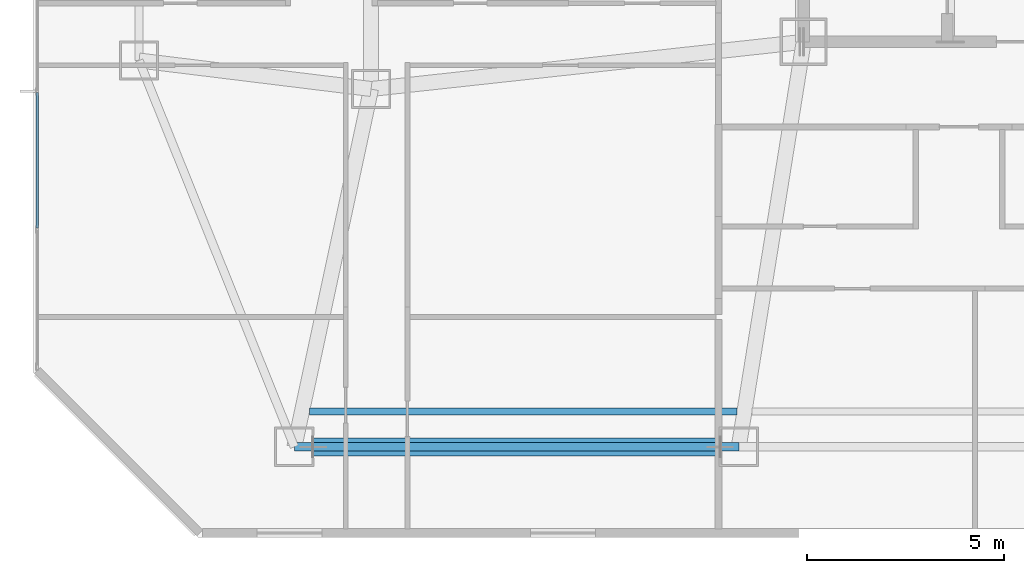
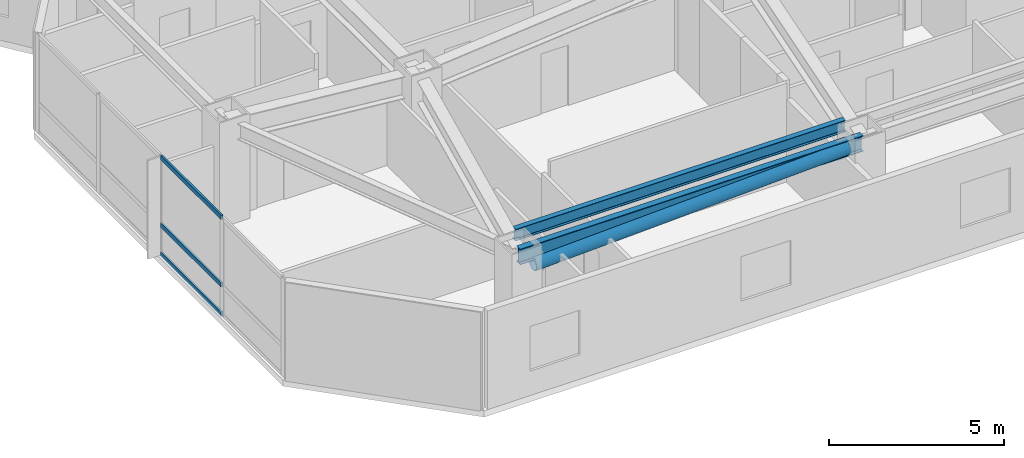
# One storey, part 3 of 19: 4 members, 2 beams, 1 element without a shape of its own.
"""IFC4 building model written with IfcOpenShell, lengths in metres."""

from ifc_helpers import new_model, si_unit, direction, frame, origin, origin_2d, place, context, subcontext, project, spatial, hollow_rectangle, hollow_circle, i_section, extrude, material, material_profile, profile_set, type_object, element, aggregate, save


model = new_model("IFC4")

# Units and contexts
model_context = context("Model", 3, precision=1e-05, world=origin(), true_north=direction((0.0, 1.0)))
body_context = subcontext(model_context, "Body", "Model", "MODEL_VIEW")
ifc_project = project(units=[si_unit("LENGTHUNIT", "METRE"), si_unit("AREAUNIT", "SQUARE_METRE"), si_unit("VOLUMEUNIT", "CUBIC_METRE"), si_unit("PLANEANGLEUNIT", "RADIAN"), si_unit("MASSUNIT", "GRAM", prefix="KILO")], contexts=[model_context])

# Site, building, storey
site_placement = place(None, origin())
site = spatial("IfcSite", under=ifc_project, at=site_placement, CompositionType="ELEMENT")
building_placement = place(site_placement, origin())
building = spatial("IfcBuilding", under=site, at=building_placement, Name="Khamvora Tower", CompositionType="ELEMENT")
storey_placement = place(building_placement, frame((0.0, 0.0, 120.14990234375)))
storey = spatial("IfcBuildingStorey", under=building, at=storey_placement, Name="L30", CompositionType="ELEMENT", Elevation=120.14990234375)

# Beams
ifc_material_1 = material(Name="Steel S355", Category="steel")
ifc_material_profile_1 = material_profile(ifc_material_1, i_section(OverallWidth=0.177978515625, OverallDepth=0.406982421875, WebThickness=0.008056640625, FlangeThickness=0.012939453125, FilletRadius=0.010009765625, at=origin_2d()), Name="W410x60")
ifc_profile_set_1 = profile_set([ifc_material_profile_1], Name="Steel S355")
beam_type_1 = type_object("IfcBeamType", Name="BM-JS-W410x60", PredefinedType="JOIST", material=ifc_profile_set_1)
beam_1_placement = place(storey_placement, frame((16.43310546875, 9.60009765625, 3.22607421875), z_axis=(1.0, 0.0, 0.0), x_axis=(0.0, 1.0, 0.0)))
element("IfcBeam", 1, at=beam_1_placement, inside=storey, type_object=beam_type_1, Name="L30 secondary floor joist 01", PredefinedType="JOIST", context=body_context, shape_type="SweptSolid", body=[
    extrude(i_section(OverallWidth=0.177978515625, OverallDepth=0.406982421875, WebThickness=0.008056640625, FlangeThickness=0.012939453125, FilletRadius=0.010009765625, at=origin_2d()), origin(), (0.0, 0.0, 1.0), 10.872802734375),
])
ifc_material_profile_2 = material_profile(ifc_material_1, i_section(OverallWidth=0.2119140625, OverallDepth=0.5439453125, WebThickness=0.012939453125, FlangeThickness=0.02099609375, FilletRadius=0.013916015625, at=origin_2d()), Name="W530x123")
ifc_profile_set_2 = profile_set([ifc_material_profile_2], Name="Steel S355")
beam_type_2 = type_object("IfcBeamType", Name="BM-SP-W530x123", PredefinedType="SPANDREL", material=ifc_profile_set_2)
beam_2_placement = place(storey_placement, frame((16.050048828125, 8.699951171875, 3.158203125), z_axis=(1.0, 0.0, 0.0), x_axis=(0.0, 1.0, 0.0)))
element("IfcBeam", 2, at=beam_2_placement, inside=storey, type_object=beam_type_2, Name="L30 perimeter spandrel beam S1-S2", PredefinedType="SPANDREL", context=body_context, shape_type="SweptSolid", body=[
    extrude(i_section(OverallWidth=0.2119140625, OverallDepth=0.5439453125, WebThickness=0.012939453125, FlangeThickness=0.02099609375, FilletRadius=0.013916015625, at=origin_2d()), origin(), (0.0, 0.0, 1.0), 11.300048828125),
])

# Curtain wall, members
ifc_material_2 = material(Name="Anodised Aluminium 6063-T6", Category="aluminium")
curtain_wall_type = type_object("IfcCurtainWallType", Name="CW-SYS-03", PredefinedType="NOTDEFINED", material=ifc_material_2)
curtain_wall_placement = place(storey_placement, origin())
curtain_wall = element("IfcCurtainWall", 3, at=curtain_wall_placement, inside=storey, type_object=curtain_wall_type, Name="L30 stick curtain wall 02.1", PredefinedType="NOTDEFINED")
ifc_material_profile_3 = material_profile(ifc_material_2, hollow_rectangle(XDim=0.06494140625, YDim=0.155029296875, WallThickness=0.0048828125, at=origin_2d()), Name="TRN65x155x5")
ifc_profile_set_3 = profile_set([ifc_material_profile_3], Name="Anodised Aluminium 6063-T6")
member_type_1 = type_object("IfcMemberType", Name="CW-SYS-03-TRN", PredefinedType="USERDEFINED", material=ifc_profile_set_3)
member_1_placement = place(storey_placement, frame((9.510009765625, 14.260986328125, 0.03271484375), z_axis=(0.0, 1.0, 0.0), x_axis=(-1.0, 0.0, 0.0)))
member_1 = element("IfcMember", 4, at=member_1_placement, type_object=member_type_1, Name="CW-03 transom 2.1", ObjectType="TRANSOM", PredefinedType="USERDEFINED", context=body_context, shape_type="SweptSolid", body=[
    extrude(hollow_rectangle(XDim=0.06494140625, YDim=0.155029296875, WallThickness=0.0048828125, at=origin_2d()), origin(), (0.0, 0.0, 1.0), 3.446533203125),
])
member_2_placement = place(storey_placement, frame((9.510009765625, 14.260986328125, 1.050048828125), z_axis=(0.0, 1.0, 0.0), x_axis=(-1.0, 0.0, 0.0)))
member_2 = element("IfcMember", 5, at=member_2_placement, type_object=member_type_1, Name="CW-03 transom 2.2", ObjectType="TRANSOM", PredefinedType="USERDEFINED", context=body_context, shape_type="SweptSolid", body=[
    extrude(hollow_rectangle(XDim=0.06494140625, YDim=0.155029296875, WallThickness=0.0048828125, at=origin_2d()), origin(), (0.0, 0.0, 1.0), 3.446533203125),
])
member_3_placement = place(storey_placement, frame((9.510009765625, 14.260986328125, 3.397705078125), z_axis=(0.0, 1.0, 0.0), x_axis=(-1.0, 0.0, 0.0)))
member_3 = element("IfcMember", 6, at=member_3_placement, type_object=member_type_1, Name="CW-03 transom 2.3", ObjectType="TRANSOM", PredefinedType="USERDEFINED", context=body_context, shape_type="SweptSolid", body=[
    extrude(hollow_rectangle(XDim=0.06494140625, YDim=0.155029296875, WallThickness=0.0048828125, at=origin_2d()), origin(), (0.0, 0.0, 1.0), 3.446533203125),
])
aggregate(curtain_wall, [member_1, member_2, member_3])

# Member
ifc_material_profile_4 = material_profile(ifc_material_1, hollow_circle(Radius=0.228515625, WallThickness=0.02001953125, at=origin_2d()), Name="CHS457x20")
ifc_profile_set_4 = profile_set([ifc_material_profile_4], Name="Steel S355")
member_type_2 = type_object("IfcMemberType", Name="MEM-BR-CHS457", PredefinedType="BRACE", material=ifc_profile_set_4)
member_4_placement = place(storey_placement, frame((16.530029296875, 8.699951171875, 2.7001953125), z_axis=(0.999092084621, 0.0, 0.042602892471), x_axis=(0.0, 1.0, 0.0)))
element("IfcMember", 7, at=member_4_placement, inside=storey, type_object=member_type_2, Name="L30 perimeter wind brace 1", PredefinedType="BRACE", context=body_context, shape_type="SweptSolid", body=[
    extrude(hollow_circle(Radius=0.228515625, WallThickness=0.02001953125, at=origin_2d()), origin(), (0.0, 0.0, 1.0), 10.349365234375),
])

save(model, "model.ifc")
